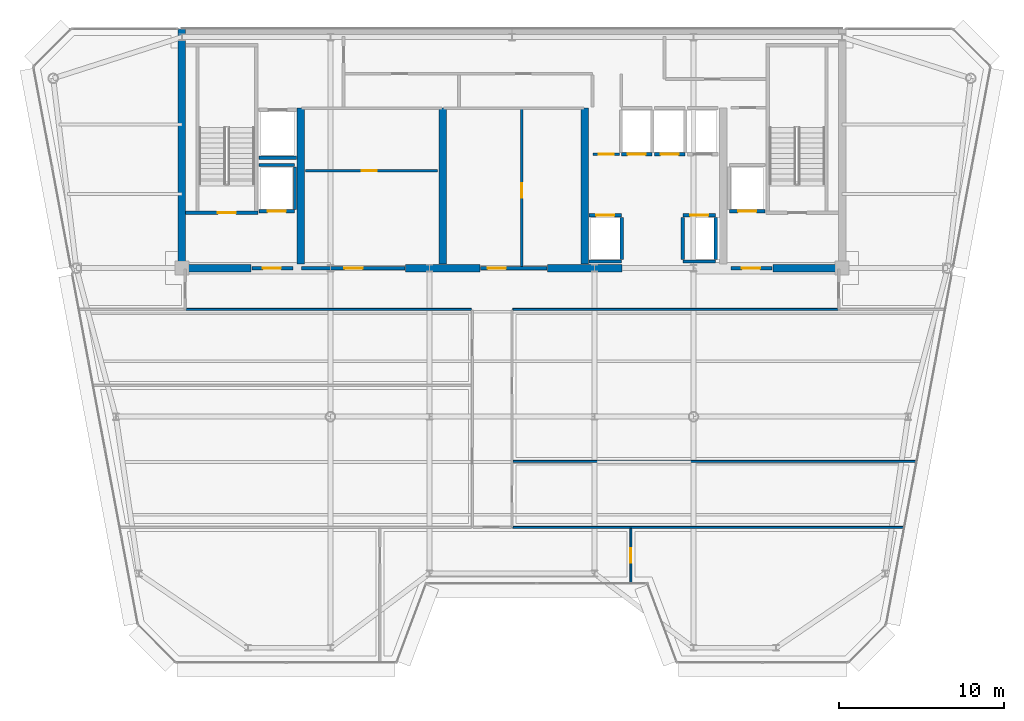
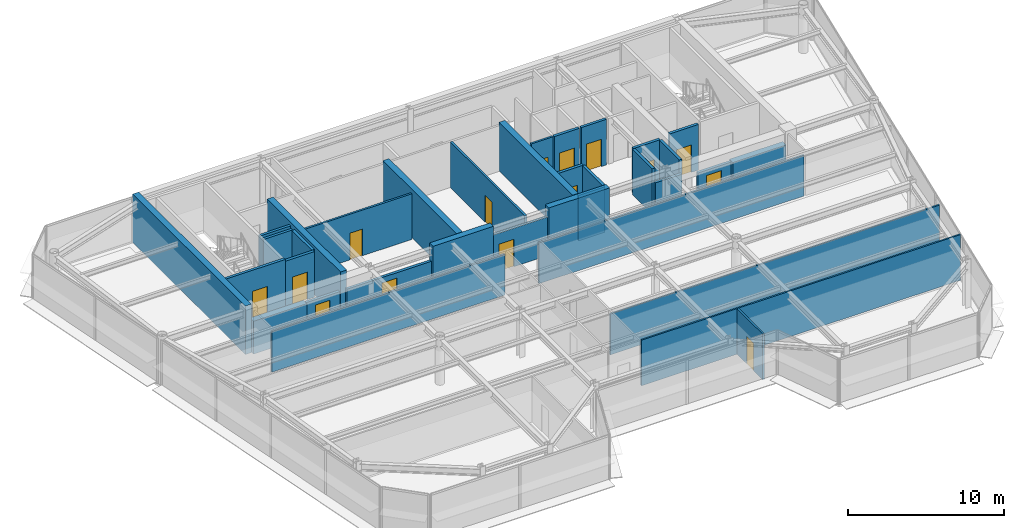
# One storey, part 11 of 19: 35 walls, 15 doors, 15 openings.
"""IFC4 building model written with IfcOpenShell, lengths in metres."""

from ifc_helpers import new_model, si_unit, direction, frame, frame_2d, origin, place, context, subcontext, project, spatial, rectangle, extrude, source, transform, mapped, material, layer, layer_set, type_object, element, fill, save


model = new_model("IFC4")

# Units and contexts
model_context = context("Model", 3, precision=1e-05, world=origin(), true_north=direction((0.0, 1.0)))
body_context = subcontext(model_context, "Body", "Model", "MODEL_VIEW")
ifc_project = project(units=[si_unit("LENGTHUNIT", "METRE"), si_unit("AREAUNIT", "SQUARE_METRE"), si_unit("VOLUMEUNIT", "CUBIC_METRE"), si_unit("PLANEANGLEUNIT", "RADIAN"), si_unit("MASSUNIT", "GRAM", prefix="KILO")], contexts=[model_context])

# Site, building, storey
site_placement = place(None, origin())
site = spatial("IfcSite", under=ifc_project, at=site_placement, CompositionType="ELEMENT")
building_placement = place(site_placement, origin())
building = spatial("IfcBuilding", under=site, at=building_placement, Name="Vaeldorn Concourse Tower", CompositionType="ELEMENT")
storey_placement = place(building_placement, frame((0.0, 0.0, 276.39990234375)))
storey = spatial("IfcBuildingStorey", under=building, at=storey_placement, Name="L71", CompositionType="ELEMENT", Elevation=276.39990234375)

# Walls
ifc_material_1 = material(Name="Concrete C50/60", Category="concrete")
ifc_layer_1 = layer(ifc_material_1, 0.449951171875)
ifc_layer_set_1 = layer_set([ifc_layer_1], Name="Concrete C50/60")
wall_type_1 = type_object("IfcWallType", Name="WL-CORE-450", PredefinedType="SHEAR", material=ifc_layer_set_1)
wall_1_placement = place(storey_placement, frame((14.0, 36.5, 0.0), z_axis=(0.0, 0.0, 1.0), x_axis=(0.0, 1.0, 0.0)))
element("IfcWall", 1, at=wall_1_placement, inside=storey, type_object=wall_type_1, Name="Rear Core Shear Wall L71 W1", PredefinedType="SHEAR", context=body_context, shape_type="SweptSolid", body=[
    extrude(rectangle(XDim=14.5, YDim=0.449951171875, at=frame_2d((7.25, 0.0))), origin(), (0.0, 0.0, 1.0), 3.800048828125),
])
wall_2_placement = place(storey_placement, frame((14.2451171875, 36.5, 0.0), z_axis=(0.0, 0.0, 1.0), x_axis=(1.0, 0.0, 0.0)))
element("IfcWall", 2, at=wall_2_placement, inside=storey, type_object=wall_type_1, Name="Rear Core Shear Wall L71 S1", PredefinedType="SHEAR", context=body_context, shape_type="SweptSolid", body=[
    extrude(rectangle(XDim=3.954833984375, YDim=0.449951171875, at=frame_2d((1.9775390625, 0.0))), origin(), (0.0, 0.0, 1.0), 2.580078125),
])
for number, where, z_axis, x_axis, name in (
    (3, (27.550048828125, 36.5, 0.0), (0.0, 0.0, 1.0), (1.0, 0.0, 0.0), "Rear Core Shear Wall L71 S2"),
    (4, (36.14990234375, 36.5, 0.0), (0.0, 0.0, 1.0), (1.0, 0.0, 0.0), "Rear Core Shear Wall L71 S3"),
):
    element("IfcWall", number, at=place(storey_placement, frame(where, z_axis=z_axis, x_axis=x_axis)), inside=storey, type_object=wall_type_1, Name=name, PredefinedType="SHEAR", context=body_context, shape_type="SweptSolid", body=[
        extrude(rectangle(XDim=4.5, YDim=0.449951171875, at=frame_2d((2.25, 0.0))), origin(), (0.0, 0.0, 1.0), 3.800048828125),
    ])
wall_3_placement = place(storey_placement, frame((49.800048828125, 36.5, 0.0), z_axis=(0.0, 0.0, 1.0), x_axis=(1.0, 0.0, 0.0)))
element("IfcWall", 5, at=wall_3_placement, inside=storey, type_object=wall_type_1, Name="Rear Core Shear Wall L71 S4", PredefinedType="SHEAR", context=body_context, shape_type="SweptSolid", body=[
    extrude(rectangle(XDim=3.954833984375, YDim=0.449951171875, at=frame_2d((1.9775390625, 0.0))), origin(), (0.0, 0.0, 1.0), 2.580078125),
])
for number, where, z_axis, x_axis, name in (
    (6, (21.199951171875, 36.7451171875, 0.0), (0.0, 0.0, 1.0), (0.0, 1.0, 0.0), "Rear Core Shear Wall L71 M1"),
    (7, (29.800048828125, 36.7451171875, 0.0), (0.0, 0.0, 1.0), (0.0, 1.0, 0.0), "Rear Core Shear Wall L71 M2"),
    (8, (38.39990234375, 36.7451171875, 0.0), (0.0, 0.0, 1.0), (0.0, 1.0, 0.0), "Rear Core Shear Wall L71 M3"),
):
    element("IfcWall", number, at=place(storey_placement, frame(where, z_axis=z_axis, x_axis=x_axis)), inside=storey, type_object=wall_type_1, Name=name, PredefinedType="SHEAR", context=body_context, shape_type="SweptSolid", body=[
        extrude(rectangle(XDim=9.454833984375, YDim=0.449951171875, at=frame_2d((4.7275390625, 0.0))), origin(), (0.0, 0.0, 1.0), 3.800048828125),
    ])
ifc_material_2 = material(Name="Gypsum Board Partition", Category="gypsum")
ifc_layer_2 = layer(ifc_material_2, 0.1201171875)
ifc_layer_set_2 = layer_set([ifc_layer_2], Name="Gypsum Board Partition")
wall_type_2 = type_object("IfcWallType", Name="WL-PART-120", PredefinedType="PARTITIONING", material=ifc_layer_set_2)
wall_4_placement = place(storey_placement, frame((14.260009765625, 34.0, 0.0), z_axis=(0.0, 0.0, 1.0), x_axis=(1.0, 0.0, 0.0)))
element("IfcWall", 9, at=wall_4_placement, inside=storey, type_object=wall_type_2, Name="Interior Wall PW-L71-C3SW", PredefinedType="PARTITIONING", context=body_context, shape_type="SweptSolid", body=[
    extrude(rectangle(XDim=17.280029296875, YDim=0.1201171875, at=frame_2d((8.64013671875, 0.0))), origin(), (0.0, 0.0, 1.0), 3.210205078125),
])
wall_5_placement = place(storey_placement, frame((34.06005859375, 34.0, 0.0), z_axis=(0.0, 0.0, 1.0), x_axis=(1.0, 0.0, 0.0)))
element("IfcWall", 10, at=wall_5_placement, inside=storey, type_object=wall_type_2, Name="Interior Wall PW-L71-C3SE", PredefinedType="PARTITIONING", context=body_context, shape_type="SweptSolid", body=[
    extrude(rectangle(XDim=19.679931640625, YDim=0.1201171875, at=frame_2d((9.83984375, 0.0))), origin(), (0.0, 0.0, 1.0), 3.210205078125),
])
wall_6_placement = place(storey_placement, frame((34.06005859375, 24.800048828125, 0.0), z_axis=(0.0, 0.0, 1.0), x_axis=(1.0, 0.0, 0.0)))
element("IfcWall", 11, at=wall_6_placement, inside=storey, type_object=wall_type_2, Name="Interior Wall PW-L71-Z3EY1", PredefinedType="PARTITIONING", context=body_context, shape_type="SweptSolid", body=[
    extrude(rectangle(XDim=24.419677734375, YDim=0.1201171875, at=frame_2d((12.2099609375, 0.0))), origin(), (0.0, 0.0, 1.0), 3.210205078125),
])
wall_7_placement = place(storey_placement, frame((34.06005859375, 20.800048828125, 0.0), z_axis=(0.0, 0.0, 1.0), x_axis=(1.0, 0.0, 0.0)))
element("IfcWall", 12, at=wall_7_placement, inside=storey, type_object=wall_type_2, Name="Interior Wall PW-L71-Z3SEL", PredefinedType="PARTITIONING", context=body_context, shape_type="SweptSolid", body=[
    extrude(rectangle(XDim=23.669921875, YDim=0.1201171875, at=frame_2d((11.8349609375, 0.0))), origin(), (0.0, 0.0, 1.0), 3.580078125),
])

# Wall, opening, door
wall_8_placement = place(storey_placement, frame((41.199951171875, 17.43994140625, 0.0), z_axis=(0.0, 0.0, 1.0), x_axis=(0.0, 1.0, 0.0)))
wall_8 = element("IfcWall", 13, at=wall_8_placement, inside=storey, type_object=wall_type_2, Name="Interior Wall PW-L71-Z3SX2", PredefinedType="PARTITIONING", context=body_context, shape_type="SweptSolid", body=[
    extrude(rectangle(XDim=3.300048828125, YDim=0.1201171875, at=frame_2d((1.64990234375, 0.0))), origin(), (0.0, 0.0, 1.0), 3.580078125),
])
opening_1_placement = place(wall_8_placement, frame((1.199951171875, 0.0, 0.0)))
opening_1 = element("IfcOpeningElement", 14, at=opening_1_placement, cuts=wall_8, Name="Opening D-03", PredefinedType="OPENING", context=body_context, shape_type="SweptSolid", body=[
    extrude(rectangle(XDim=0.89990234375, YDim=2.14990234375, at=frame_2d((0.449951171875, 1.074951171875))), frame((0.0, 0.070068359375, 0.0), z_axis=(0.0, -1.0, 0.0), x_axis=(1.0, 0.0, 0.0)), (0.0, 0.0, 1.0), 0.14013671875),
])
ifc_material_3 = material(Name="Acoustic Bronze-Framed Glass Door", Category="glass")
door_type_1 = type_object("IfcDoorType", Name="DR-INT-900", OperationType="NOTDEFINED", PredefinedType="DOOR", material=ifc_material_3)
shared_shape_1 = source(origin(), body_context, "Body", "SweptSolid", [
    extrude(rectangle(XDim=0.89990234375, YDim=2.14990234375, at=frame_2d((0.449951171875, 1.074951171875))), frame((0.0, 0.02490234375, 0.0), z_axis=(0.0, -1.0, 0.0), x_axis=(1.0, 0.0, 0.0)), (0.0, 0.0, 1.0), 0.050048828125),
])
door_1_placement = place(opening_1_placement, origin())
door_1 = element("IfcDoor", 15, at=door_1_placement, inside=storey, type_object=door_type_1, Name="Interior Door DR-L71-Z3SX2", OperationType="SINGLE_SWING_LEFT", OverallHeight=2.14990234375, OverallWidth=0.89990234375, PredefinedType="DOOR", context=body_context, shape_type="MappedRepresentation", body=[
    mapped(shared_shape_1, transform((0.0, 0.0, 0.0), scale=1.0)),
])
fill(opening_1, door_1)

ifc_layer_3 = layer(ifc_material_2, 0.14990234375)
ifc_layer_set_3 = layer_set([ifc_layer_3], Name="Gypsum Board Partition")
wall_type_3 = type_object("IfcWallType", Name="WL-PART-150", PredefinedType="PARTITIONING", material=ifc_layer_set_3)
wall_9_placement = place(storey_placement, frame((21.5, 42.39990234375, 0.0), z_axis=(0.0, 0.0, 1.0), x_axis=(1.0, 0.0, 0.0)))
wall_9 = element("IfcWall", 16, at=wall_9_placement, inside=storey, type_object=wall_type_3, Name="Interior Wall CW-L71-R1M", PredefinedType="PARTITIONING", context=body_context, shape_type="SweptSolid", body=[
    extrude(rectangle(XDim=8.0, YDim=0.14990234375, at=frame_2d((4.0, 0.0))), origin(), (0.0, 0.0, 1.0), 3.580078125),
])
opening_2_placement = place(wall_9_placement, frame((3.39990234375, 0.0, 0.0)))
opening_2 = element("IfcOpeningElement", 17, at=opening_2_placement, cuts=wall_9, Name="Opening D-02", PredefinedType="OPENING", context=body_context, shape_type="SweptSolid", body=[
    extrude(rectangle(XDim=0.89990234375, YDim=2.10009765625, at=frame_2d((0.449951171875, 1.050048828125))), frame((0.0, 0.0849609375, 0.0), z_axis=(0.0, -1.0, 0.0), x_axis=(1.0, 0.0, 0.0)), (0.0, 0.0, 1.0), 0.169921875),
])
ifc_material_4 = material(Name="Fire-Rated Timber Leaf", Category="wood")
door_type_2 = type_object("IfcDoorType", Name="DR-FD30-900", OperationType="NOTDEFINED", PredefinedType="DOOR", material=ifc_material_4)
shared_shape_2 = source(origin(), body_context, "Body", "SweptSolid", [
    extrude(rectangle(XDim=0.89990234375, YDim=2.10009765625, at=frame_2d((0.449951171875, 1.050048828125))), frame((0.0, 0.02490234375, 0.0), z_axis=(0.0, -1.0, 0.0), x_axis=(1.0, 0.0, 0.0)), (0.0, 0.0, 1.0), 0.050048828125),
])
door_2_placement = place(opening_2_placement, origin())
door_2 = element("IfcDoor", 18, at=door_2_placement, inside=storey, type_object=door_type_2, Name="Interior Door DR-L71-R1M", OperationType="SINGLE_SWING_RIGHT", OverallHeight=2.10009765625, OverallWidth=0.89990234375, PredefinedType="DOOR", context=body_context, shape_type="MappedRepresentation", body=[
    mapped(shared_shape_2, transform((0.0, 0.0, 0.0), scale=1.0)),
])
fill(opening_2, door_2)

wall_10_placement = place(storey_placement, frame((34.60009765625, 36.56005859375, 0.0), z_axis=(0.0, 0.0, 1.0), x_axis=(0.0, 1.0, 0.0)))
wall_10 = element("IfcWall", 19, at=wall_10_placement, inside=storey, type_object=wall_type_3, Name="Interior Wall CW-L71-R2M", PredefinedType="PARTITIONING", context=body_context, shape_type="SweptSolid", body=[
    extrude(rectangle(XDim=9.579833984375, YDim=0.14990234375, at=frame_2d((4.7900390625, 0.0))), origin(), (0.0, 0.0, 1.0), 3.580078125),
])
opening_3_placement = place(wall_10_placement, frame((4.199951171875, 0.0, 0.0)))
opening_3 = element("IfcOpeningElement", 20, at=opening_3_placement, cuts=wall_10, Name="Opening D-02", PredefinedType="OPENING", context=body_context, shape_type="SweptSolid", body=[
    extrude(rectangle(XDim=0.89990234375, YDim=2.10009765625, at=frame_2d((0.449951171875, 1.050048828125))), frame((0.0, 0.0849609375, 0.0), z_axis=(0.0, -1.0, 0.0), x_axis=(1.0, 0.0, 0.0)), (0.0, 0.0, 1.0), 0.169921875),
])
door_3_placement = place(opening_3_placement, origin())
door_3 = element("IfcDoor", 21, at=door_3_placement, inside=storey, type_object=door_type_2, Name="Interior Door DR-L71-R2E", OperationType="SINGLE_SWING_RIGHT", OverallHeight=2.10009765625, OverallWidth=0.89990234375, PredefinedType="DOOR", context=body_context, shape_type="MappedRepresentation", body=[
    mapped(shared_shape_2, transform((0.0, 0.0, 0.0), scale=1.0)),
])
fill(opening_3, door_3)

wall_11_placement = place(storey_placement, frame((38.919921875, 43.39990234375, 0.0), z_axis=(0.0, 0.0, 1.0), x_axis=(1.0, 0.0, 0.0)))
wall_11 = element("IfcWall", 22, at=wall_11_placement, inside=storey, type_object=wall_type_3, Name="Interior Wall CW-L71-CCLINK", PredefinedType="PARTITIONING", context=body_context, shape_type="SweptSolid", body=[
    extrude(rectangle(XDim=1.60009765625, YDim=0.14990234375, at=frame_2d((0.800048828125, 0.0))), origin(), (0.0, 0.0, 1.0), 3.580078125),
])
opening_4_placement = place(wall_11_placement, frame((0.35009765625, 0.0, 0.0)))
opening_4 = element("IfcOpeningElement", 23, at=opening_4_placement, cuts=wall_11, Name="Opening D-02", PredefinedType="OPENING", context=body_context, shape_type="SweptSolid", body=[
    extrude(rectangle(XDim=0.89990234375, YDim=2.10009765625, at=frame_2d((0.449951171875, 1.050048828125))), frame((0.0, 0.0849609375, 0.0), z_axis=(0.0, -1.0, 0.0), x_axis=(1.0, 0.0, 0.0)), (0.0, 0.0, 1.0), 0.169921875),
])
door_4_placement = place(opening_4_placement, origin())
door_4 = element("IfcDoor", 24, at=door_4_placement, inside=storey, type_object=door_type_2, Name="Interior Door DR-L71-CCLINK", OperationType="SINGLE_SWING_LEFT", OverallHeight=2.10009765625, OverallWidth=0.89990234375, PredefinedType="DOOR", context=body_context, shape_type="MappedRepresentation", body=[
    mapped(shared_shape_2, transform((0.0, 0.0, 0.0), scale=1.0)),
])
fill(opening_4, door_4)

ifc_layer_4 = layer(ifc_material_1, 0.199951171875)
ifc_layer_set_4 = layer_set([ifc_layer_4], Name="Concrete C50/60")
wall_type_4 = type_object("IfcWallType", Name="WL-SHAFT-200", PredefinedType="SOLIDWALL", material=ifc_layer_set_4)
wall_12_placement = place(storey_placement, frame((14.22509765625, 39.85009765625, 0.0), z_axis=(0.0, 0.0, 1.0), x_axis=(1.0, 0.0, 0.0)))
wall_12 = element("IfcWall", 25, at=wall_12_placement, inside=storey, type_object=wall_type_4, Name="Stair Shaft Wall CW-L71-ST-1-S", PredefinedType="SOLIDWALL", context=body_context, shape_type="SweptSolid", body=[
    extrude(rectangle(XDim=4.375, YDim=0.199951171875, at=frame_2d((2.1875, 0.0))), origin(), (0.0, 0.0, 1.0), 3.800048828125),
])
opening_5_placement = place(wall_12_placement, frame((1.949951171875, 0.0, 0.0)))
opening_5 = element("IfcOpeningElement", 26, at=opening_5_placement, cuts=wall_12, Name="Opening D-01", PredefinedType="OPENING", context=body_context, shape_type="SweptSolid", body=[
    extrude(rectangle(XDim=1.10009765625, YDim=2.14990234375, at=frame_2d((0.550048828125, 1.074951171875))), frame((0.0, 0.10986328125, 0.0), z_axis=(0.0, -1.0, 0.0), x_axis=(1.0, 0.0, 0.0)), (0.0, 0.0, 1.0), 0.219970703125),
])
ifc_material_5 = material(Name="Fire-Rated Timber and Steel Leaf", Category="steel")
door_type_3 = type_object("IfcDoorType", Name="DR-FD60-1100", OperationType="NOTDEFINED", PredefinedType="DOOR", material=ifc_material_5)
shared_shape_3 = source(origin(), body_context, "Body", "SweptSolid", [
    extrude(rectangle(XDim=1.10009765625, YDim=2.14990234375, at=frame_2d((0.550048828125, 1.074951171875))), frame((0.0, 0.02490234375, 0.0), z_axis=(0.0, -1.0, 0.0), x_axis=(1.0, 0.0, 0.0)), (0.0, 0.0, 1.0), 0.050048828125),
])
door_5_placement = place(opening_5_placement, origin())
door_5 = element("IfcDoor", 27, at=door_5_placement, inside=storey, type_object=door_type_3, Name="Interior Door DR-L71-ST-1", OperationType="SINGLE_SWING_LEFT", OverallHeight=2.14990234375, OverallWidth=1.10009765625, PredefinedType="DOOR", context=body_context, shape_type="MappedRepresentation", body=[
    mapped(shared_shape_3, transform((0.0, 0.0, 0.0), scale=1.0)),
])
fill(opening_5, door_5)

wall_13_placement = place(storey_placement, frame((18.25, 36.5, 0.0), z_axis=(0.0, 0.0, 1.0), x_axis=(1.0, 0.0, 0.0)))
wall_13 = element("IfcWall", 28, at=wall_13_placement, inside=storey, type_object=wall_type_4, Name="Interior Wall CW-L71-FF1S", PredefinedType="SOLIDWALL", context=body_context, shape_type="SweptSolid", body=[
    extrude(rectangle(XDim=2.469970703125, YDim=0.199951171875, at=frame_2d((1.23486328125, 0.0))), origin(), (0.0, 0.0, 1.0), 2.570068359375),
])
opening_6_placement = place(wall_13_placement, frame((0.64990234375, 0.0, 0.0)))
opening_6 = element("IfcOpeningElement", 29, at=opening_6_placement, cuts=wall_13, Name="Opening D-01", PredefinedType="OPENING", context=body_context, shape_type="SweptSolid", body=[
    extrude(rectangle(XDim=1.10009765625, YDim=2.14990234375, at=frame_2d((0.550048828125, 1.074951171875))), frame((0.0, 0.10986328125, 0.0), z_axis=(0.0, -1.0, 0.0), x_axis=(1.0, 0.0, 0.0)), (0.0, 0.0, 1.0), 0.219970703125),
])
door_6_placement = place(opening_6_placement, origin())
door_6 = element("IfcDoor", 30, at=door_6_placement, inside=storey, type_object=door_type_3, Name="Interior Door DR-L71-FF1E", OperationType="SINGLE_SWING_RIGHT", OverallHeight=2.14990234375, OverallWidth=1.10009765625, PredefinedType="DOOR", context=body_context, shape_type="MappedRepresentation", body=[
    mapped(shared_shape_3, transform((0.0, 0.0, 0.0), scale=1.0)),
])
fill(opening_6, door_6)

wall_14_placement = place(storey_placement, frame((47.280029296875, 36.5, 0.0), z_axis=(0.0, 0.0, 1.0), x_axis=(1.0, 0.0, 0.0)))
wall_14 = element("IfcWall", 31, at=wall_14_placement, inside=storey, type_object=wall_type_4, Name="Interior Wall CW-L71-FF2S", PredefinedType="SOLIDWALL", context=body_context, shape_type="SweptSolid", body=[
    extrude(rectangle(XDim=2.469970703125, YDim=0.199951171875, at=frame_2d((1.23486328125, 0.0))), origin(), (0.0, 0.0, 1.0), 2.570068359375),
])
opening_7_placement = place(wall_14_placement, frame((0.64990234375, 0.0, 0.0)))
opening_7 = element("IfcOpeningElement", 32, at=opening_7_placement, cuts=wall_14, Name="Opening D-01", PredefinedType="OPENING", context=body_context, shape_type="SweptSolid", body=[
    extrude(rectangle(XDim=1.10009765625, YDim=2.14990234375, at=frame_2d((0.550048828125, 1.074951171875))), frame((0.0, 0.10986328125, 0.0), z_axis=(0.0, -1.0, 0.0), x_axis=(1.0, 0.0, 0.0)), (0.0, 0.0, 1.0), 0.219970703125),
])
door_7_placement = place(opening_7_placement, origin())
door_7 = element("IfcDoor", 33, at=door_7_placement, inside=storey, type_object=door_type_3, Name="Interior Door DR-L71-FF2W", OperationType="SINGLE_SWING_LEFT", OverallHeight=2.14990234375, OverallWidth=1.10009765625, PredefinedType="DOOR", context=body_context, shape_type="MappedRepresentation", body=[
    mapped(shared_shape_3, transform((0.0, 0.0, 0.0), scale=1.0)),
])
fill(opening_7, door_7)

wall_15_placement = place(storey_placement, frame((38.669921875, 39.699951171875, 0.0), z_axis=(0.0, 0.0, 1.0), x_axis=(1.0, 0.0, 0.0)))
wall_15 = element("IfcWall", 34, at=wall_15_placement, inside=storey, type_object=wall_type_4, Name="Interior Wall CW-L71-LF-LF-13", PredefinedType="SOLIDWALL", context=body_context, shape_type="SweptSolid", body=[
    extrude(rectangle(XDim=1.9599609375, YDim=0.199951171875, at=frame_2d((0.97998046875, 0.0))), origin(), (0.0, 0.0, 1.0), 3.580078125),
])
opening_8_placement = place(wall_15_placement, frame((0.429931640625, 0.0, 0.0)))
opening_8 = element("IfcOpeningElement", 35, at=opening_8_placement, cuts=wall_15, Name="Opening LD-1", PredefinedType="OPENING", context=body_context, shape_type="SweptSolid", body=[
    extrude(rectangle(XDim=1.10009765625, YDim=2.14990234375, at=frame_2d((0.550048828125, 1.074951171875))), frame((0.0, 0.10986328125, 0.0), z_axis=(0.0, -1.0, 0.0), x_axis=(1.0, 0.0, 0.0)), (0.0, 0.0, 1.0), 0.219970703125),
])
ifc_material_6 = material(Name="Anodised Bronze Aluminium", Category="aluminium")
door_type_4 = type_object("IfcDoorType", Name="DR-LIFT-SLIDE-1100", OperationType="DOUBLE_DOOR_SLIDING", PredefinedType="DOOR", material=ifc_material_6)
door_8_placement = place(opening_8_placement, origin())
door_8 = element("IfcDoor", 36, at=door_8_placement, inside=storey, type_object=door_type_4, Name="Lift Landing Door LD-L71-LF-13", OperationType="DOUBLE_DOOR_SLIDING", OverallHeight=2.14990234375, OverallWidth=1.10009765625, PredefinedType="DOOR", context=body_context, shape_type="MappedRepresentation", body=[
    mapped(shared_shape_3, transform((0.0, 0.0, 0.0), scale=1.0)),
])
fill(opening_8, door_8)

# Walls
wall_16_placement = place(storey_placement, frame((38.669921875, 36.89990234375, 0.0), z_axis=(0.0, 0.0, 1.0), x_axis=(1.0, 0.0, 0.0)))
element("IfcWall", 37, at=wall_16_placement, inside=storey, type_object=wall_type_4, Name="Interior Wall CW-L71-LFB-LF-13", PredefinedType="SOLIDWALL", context=body_context, shape_type="SweptSolid", body=[
    extrude(rectangle(XDim=1.9599609375, YDim=0.199951171875, at=frame_2d((0.97998046875, 0.0))), origin(), (0.0, 0.0, 1.0), 3.580078125),
])
wall_17_placement = place(storey_placement, frame((40.64990234375, 37.02001953125, 0.0), z_axis=(0.0, 0.0, 1.0), x_axis=(0.0, 1.0, 0.0)))
element("IfcWall", 38, at=wall_17_placement, inside=storey, type_object=wall_type_4, Name="Interior Wall CW-L71-LFE-LF-13", PredefinedType="SOLIDWALL", context=body_context, shape_type="SweptSolid", body=[
    extrude(rectangle(XDim=2.56005859375, YDim=0.199951171875, at=frame_2d((1.280029296875, 0.0))), origin(), (0.0, 0.0, 1.0), 3.580078125),
])

# Wall, opening, door
wall_18_placement = place(storey_placement, frame((44.3701171875, 39.699951171875, 0.0), z_axis=(0.0, 0.0, 1.0), x_axis=(1.0, 0.0, 0.0)))
wall_18 = element("IfcWall", 39, at=wall_18_placement, inside=storey, type_object=wall_type_4, Name="Interior Wall CW-L71-LF-LF-14", PredefinedType="SOLIDWALL", context=body_context, shape_type="SweptSolid", body=[
    extrude(rectangle(XDim=1.9599609375, YDim=0.199951171875, at=frame_2d((0.97998046875, 0.0))), origin(), (0.0, 0.0, 1.0), 3.580078125),
])
opening_9_placement = place(wall_18_placement, frame((0.429931640625, 0.0, 0.0)))
opening_9 = element("IfcOpeningElement", 40, at=opening_9_placement, cuts=wall_18, Name="Opening LD-1", PredefinedType="OPENING", context=body_context, shape_type="SweptSolid", body=[
    extrude(rectangle(XDim=1.10009765625, YDim=2.14990234375, at=frame_2d((0.550048828125, 1.074951171875))), frame((0.0, 0.10986328125, 0.0), z_axis=(0.0, -1.0, 0.0), x_axis=(1.0, 0.0, 0.0)), (0.0, 0.0, 1.0), 0.219970703125),
])
door_9_placement = place(opening_9_placement, origin())
door_9 = element("IfcDoor", 41, at=door_9_placement, inside=storey, type_object=door_type_4, Name="Lift Landing Door LD-L71-LF-14", OperationType="DOUBLE_DOOR_SLIDING", OverallHeight=2.14990234375, OverallWidth=1.10009765625, PredefinedType="DOOR", context=body_context, shape_type="MappedRepresentation", body=[
    mapped(shared_shape_3, transform((0.0, 0.0, 0.0), scale=1.0)),
])
fill(opening_9, door_9)

# Walls
wall_19_placement = place(storey_placement, frame((44.3701171875, 36.89990234375, 0.0), z_axis=(0.0, 0.0, 1.0), x_axis=(1.0, 0.0, 0.0)))
element("IfcWall", 42, at=wall_19_placement, inside=storey, type_object=wall_type_4, Name="Interior Wall CW-L71-LFB-LF-14", PredefinedType="SOLIDWALL", context=body_context, shape_type="SweptSolid", body=[
    extrude(rectangle(XDim=1.9599609375, YDim=0.199951171875, at=frame_2d((0.97998046875, 0.0))), origin(), (0.0, 0.0, 1.0), 2.570068359375),
])
for number, where, z_axis, x_axis, name in (
    (43, (44.35009765625, 37.02001953125, 0.0), (0.0, 0.0, 1.0), (0.0, 1.0, 0.0), "Interior Wall CW-L71-LFW-LF-14"),
    (44, (46.35009765625, 37.02001953125, 0.0), (0.0, 0.0, 1.0), (0.0, 1.0, 0.0), "Interior Wall CW-L71-LFE-LF-14"),
):
    element("IfcWall", number, at=place(storey_placement, frame(where, z_axis=z_axis, x_axis=x_axis)), inside=storey, type_object=wall_type_4, Name=name, PredefinedType="SOLIDWALL", context=body_context, shape_type="SweptSolid", body=[
        extrude(rectangle(XDim=2.56005859375, YDim=0.199951171875, at=frame_2d((1.280029296875, 0.0))), origin(), (0.0, 0.0, 1.0), 3.580078125),
    ])

# Wall, opening, door
wall_20_placement = place(storey_placement, frame((40.6201171875, 43.39990234375, 0.0), z_axis=(0.0, 0.0, 1.0), x_axis=(1.0, 0.0, 0.0)))
wall_20 = element("IfcWall", 45, at=wall_20_placement, inside=storey, type_object=wall_type_4, Name="Interior Wall CW-L71-LF-LF-15", PredefinedType="SOLIDWALL", context=body_context, shape_type="SweptSolid", body=[
    extrude(rectangle(XDim=1.85986328125, YDim=0.199951171875, at=frame_2d((0.929931640625, 0.0))), origin(), (0.0, 0.0, 1.0), 3.580078125),
])
opening_10_placement = place(wall_20_placement, frame((0.3798828125, 0.0, 0.0)))
opening_10 = element("IfcOpeningElement", 46, at=opening_10_placement, cuts=wall_20, Name="Opening LD-1", PredefinedType="OPENING", context=body_context, shape_type="SweptSolid", body=[
    extrude(rectangle(XDim=1.10009765625, YDim=2.14990234375, at=frame_2d((0.550048828125, 1.074951171875))), frame((0.0, 0.10986328125, 0.0), z_axis=(0.0, -1.0, 0.0), x_axis=(1.0, 0.0, 0.0)), (0.0, 0.0, 1.0), 0.219970703125),
])
door_10_placement = place(opening_10_placement, origin())
door_10 = element("IfcDoor", 47, at=door_10_placement, inside=storey, type_object=door_type_4, Name="Lift Landing Door LD-L71-LF-15", OperationType="DOUBLE_DOOR_SLIDING", OverallHeight=2.14990234375, OverallWidth=1.10009765625, PredefinedType="DOOR", context=body_context, shape_type="MappedRepresentation", body=[
    mapped(shared_shape_3, transform((0.0, 0.0, 0.0), scale=1.0)),
])
fill(opening_10, door_10)

wall_21_placement = place(storey_placement, frame((42.6201171875, 43.39990234375, 0.0), z_axis=(0.0, 0.0, 1.0), x_axis=(1.0, 0.0, 0.0)))
wall_21 = element("IfcWall", 48, at=wall_21_placement, inside=storey, type_object=wall_type_4, Name="Interior Wall CW-L71-LF-LF-16", PredefinedType="SOLIDWALL", context=body_context, shape_type="SweptSolid", body=[
    extrude(rectangle(XDim=1.85986328125, YDim=0.199951171875, at=frame_2d((0.929931640625, 0.0))), origin(), (0.0, 0.0, 1.0), 3.580078125),
])
opening_11_placement = place(wall_21_placement, frame((0.3798828125, 0.0, 0.0)))
opening_11 = element("IfcOpeningElement", 49, at=opening_11_placement, cuts=wall_21, Name="Opening LD-1", PredefinedType="OPENING", context=body_context, shape_type="SweptSolid", body=[
    extrude(rectangle(XDim=1.10009765625, YDim=2.14990234375, at=frame_2d((0.550048828125, 1.074951171875))), frame((0.0, 0.10986328125, 0.0), z_axis=(0.0, -1.0, 0.0), x_axis=(1.0, 0.0, 0.0)), (0.0, 0.0, 1.0), 0.219970703125),
])
door_11_placement = place(opening_11_placement, origin())
door_11 = element("IfcDoor", 50, at=door_11_placement, inside=storey, type_object=door_type_4, Name="Lift Landing Door LD-L71-LF-16", OperationType="DOUBLE_DOOR_SLIDING", OverallHeight=2.14990234375, OverallWidth=1.10009765625, PredefinedType="DOOR", context=body_context, shape_type="MappedRepresentation", body=[
    mapped(shared_shape_3, transform((0.0, 0.0, 0.0), scale=1.0)),
])
fill(opening_11, door_11)

# Wall
wall_22_placement = place(storey_placement, frame((18.669921875, 43.199951171875, 0.0), z_axis=(0.0, 0.0, 1.0), x_axis=(1.0, 0.0, 0.0)))
element("IfcWall", 51, at=wall_22_placement, inside=storey, type_object=wall_type_4, Name="Interior Wall CW-L71-LFB-LF-SV1", PredefinedType="SOLIDWALL", context=body_context, shape_type="SweptSolid", body=[
    extrude(rectangle(XDim=2.260009765625, YDim=0.199951171875, at=frame_2d((1.1298828125, 0.0))), origin(), (0.0, 0.0, 1.0), 3.580078125),
])

# Wall, opening, door
wall_23_placement = place(storey_placement, frame((18.669921875, 39.949951171875, 0.0), z_axis=(0.0, 0.0, 1.0), x_axis=(1.0, 0.0, 0.0)))
wall_23 = element("IfcWall", 52, at=wall_23_placement, inside=storey, type_object=wall_type_4, Name="Interior Wall CW-L71-LF-LF-FF1", PredefinedType="SOLIDWALL", context=body_context, shape_type="SweptSolid", body=[
    extrude(rectangle(XDim=2.16015625, YDim=0.199951171875, at=frame_2d((1.080078125, 0.0))), origin(), (0.0, 0.0, 1.0), 3.580078125),
])
opening_12_placement = place(wall_23_placement, frame((0.530029296875, 0.0, 0.0)))
opening_12 = element("IfcOpeningElement", 53, at=opening_12_placement, cuts=wall_23, Name="Opening LD-1", PredefinedType="OPENING", context=body_context, shape_type="SweptSolid", body=[
    extrude(rectangle(XDim=1.10009765625, YDim=2.14990234375, at=frame_2d((0.550048828125, 1.074951171875))), frame((0.0, 0.10986328125, 0.0), z_axis=(0.0, -1.0, 0.0), x_axis=(1.0, 0.0, 0.0)), (0.0, 0.0, 1.0), 0.219970703125),
])
door_12_placement = place(opening_12_placement, origin())
door_12 = element("IfcDoor", 54, at=door_12_placement, inside=storey, type_object=door_type_4, Name="Lift Landing Door LD-L71-LF-FF1", OperationType="DOUBLE_DOOR_SLIDING", OverallHeight=2.14990234375, OverallWidth=1.10009765625, PredefinedType="DOOR", context=body_context, shape_type="MappedRepresentation", body=[
    mapped(shared_shape_3, transform((0.0, 0.0, 0.0), scale=1.0)),
])
fill(opening_12, door_12)

# Walls
wall_24_placement = place(storey_placement, frame((18.669921875, 42.75, 0.0), z_axis=(0.0, 0.0, 1.0), x_axis=(1.0, 0.0, 0.0)))
element("IfcWall", 55, at=wall_24_placement, inside=storey, type_object=wall_type_4, Name="Interior Wall CW-L71-LFB-LF-FF1", PredefinedType="SOLIDWALL", context=body_context, shape_type="SweptSolid", body=[
    extrude(rectangle(XDim=2.16015625, YDim=0.199951171875, at=frame_2d((1.080078125, 0.0))), origin(), (0.0, 0.0, 1.0), 3.580078125),
])
wall_25_placement = place(storey_placement, frame((20.85009765625, 40.070068359375, 0.0), z_axis=(0.0, 0.0, 1.0), x_axis=(0.0, 1.0, 0.0)))
element("IfcWall", 56, at=wall_25_placement, inside=storey, type_object=wall_type_4, Name="Interior Wall CW-L71-LFE-LF-FF1", PredefinedType="SOLIDWALL", context=body_context, shape_type="SweptSolid", body=[
    extrude(rectangle(XDim=2.559814453125, YDim=0.199951171875, at=frame_2d((1.27978515625, 0.0))), origin(), (0.0, 0.0, 1.0), 3.580078125),
])

# Wall, opening, door
wall_26_placement = place(storey_placement, frame((47.169921875, 39.949951171875, 0.0), z_axis=(0.0, 0.0, 1.0), x_axis=(1.0, 0.0, 0.0)))
wall_26 = element("IfcWall", 57, at=wall_26_placement, inside=storey, type_object=wall_type_4, Name="Interior Wall CW-L71-LF-LF-FF2", PredefinedType="SOLIDWALL", context=body_context, shape_type="SweptSolid", body=[
    extrude(rectangle(XDim=2.16015625, YDim=0.199951171875, at=frame_2d((1.080078125, 0.0))), origin(), (0.0, 0.0, 1.0), 3.580078125),
])
opening_13_placement = place(wall_26_placement, frame((0.530029296875, 0.0, 0.0)))
opening_13 = element("IfcOpeningElement", 58, at=opening_13_placement, cuts=wall_26, Name="Opening LD-1", PredefinedType="OPENING", context=body_context, shape_type="SweptSolid", body=[
    extrude(rectangle(XDim=1.10009765625, YDim=2.14990234375, at=frame_2d((0.550048828125, 1.074951171875))), frame((0.0, 0.10986328125, 0.0), z_axis=(0.0, -1.0, 0.0), x_axis=(1.0, 0.0, 0.0)), (0.0, 0.0, 1.0), 0.219970703125),
])
door_13_placement = place(opening_13_placement, origin())
door_13 = element("IfcDoor", 59, at=door_13_placement, inside=storey, type_object=door_type_4, Name="Lift Landing Door LD-L71-LF-FF2", OperationType="DOUBLE_DOOR_SLIDING", OverallHeight=2.14990234375, OverallWidth=1.10009765625, PredefinedType="DOOR", context=body_context, shape_type="MappedRepresentation", body=[
    mapped(shared_shape_3, transform((0.0, 0.0, 0.0), scale=1.0)),
])
fill(opening_13, door_13)

wall_27_placement = place(storey_placement, frame((21.25, 36.5, 0.0), z_axis=(0.0, 0.0, 1.0), x_axis=(1.0, 0.0, 0.0)))
wall_27 = element("IfcWall", 60, at=wall_27_placement, inside=storey, type_object=wall_type_4, Name="Interior Wall CW-L71-R1S", PredefinedType="SOLIDWALL", context=body_context, shape_type="SweptSolid", body=[
    extrude(rectangle(XDim=6.27001953125, YDim=0.199951171875, at=frame_2d((3.135009765625, 0.0))), origin(), (0.0, 0.0, 1.0), 2.570068359375),
])
opening_14_placement = place(wall_27_placement, frame((2.60009765625, 0.0, 0.0)))
opening_14 = element("IfcOpeningElement", 61, at=opening_14_placement, cuts=wall_27, Name="Opening D-01", PredefinedType="OPENING", context=body_context, shape_type="SweptSolid", body=[
    extrude(rectangle(XDim=1.10009765625, YDim=2.14990234375, at=frame_2d((0.550048828125, 1.074951171875))), frame((0.0, 0.10986328125, 0.0), z_axis=(0.0, -1.0, 0.0), x_axis=(1.0, 0.0, 0.0)), (0.0, 0.0, 1.0), 0.219970703125),
])
door_14_placement = place(opening_14_placement, origin())
door_14 = element("IfcDoor", 62, at=door_14_placement, inside=storey, type_object=door_type_3, Name="Interior Door DR-L71-R1S", OperationType="SINGLE_SWING_LEFT", OverallHeight=2.14990234375, OverallWidth=1.10009765625, PredefinedType="DOOR", context=body_context, shape_type="MappedRepresentation", body=[
    mapped(shared_shape_3, transform((0.0, 0.0, 0.0), scale=1.0)),
])
fill(opening_14, door_14)

wall_28_placement = place(storey_placement, frame((32.080078125, 36.5, 0.0), z_axis=(0.0, 0.0, 1.0), x_axis=(1.0, 0.0, 0.0)))
wall_28 = element("IfcWall", 63, at=wall_28_placement, inside=storey, type_object=wall_type_4, Name="Interior Wall CW-L71-R2S", PredefinedType="SOLIDWALL", context=body_context, shape_type="SweptSolid", body=[
    extrude(rectangle(XDim=4.0400390625, YDim=0.199951171875, at=frame_2d((2.02001953125, 0.0))), origin(), (0.0, 0.0, 1.0), 3.02001953125),
])
opening_15_placement = place(wall_28_placement, frame((0.449951171875, 0.0, 0.0)))
opening_15 = element("IfcOpeningElement", 64, at=opening_15_placement, cuts=wall_28, Name="Opening D-01", PredefinedType="OPENING", context=body_context, shape_type="SweptSolid", body=[
    extrude(rectangle(XDim=1.10009765625, YDim=2.14990234375, at=frame_2d((0.550048828125, 1.074951171875))), frame((0.0, 0.10986328125, 0.0), z_axis=(0.0, -1.0, 0.0), x_axis=(1.0, 0.0, 0.0)), (0.0, 0.0, 1.0), 0.219970703125),
])
door_15_placement = place(opening_15_placement, origin())
door_15 = element("IfcDoor", 65, at=door_15_placement, inside=storey, type_object=door_type_3, Name="Interior Door DR-L71-R2W", OperationType="SINGLE_SWING_LEFT", OverallHeight=2.14990234375, OverallWidth=1.10009765625, PredefinedType="DOOR", context=body_context, shape_type="MappedRepresentation", body=[
    mapped(shared_shape_3, transform((0.0, 0.0, 0.0), scale=1.0)),
])
fill(opening_15, door_15)

save(model, "model.ifc")
